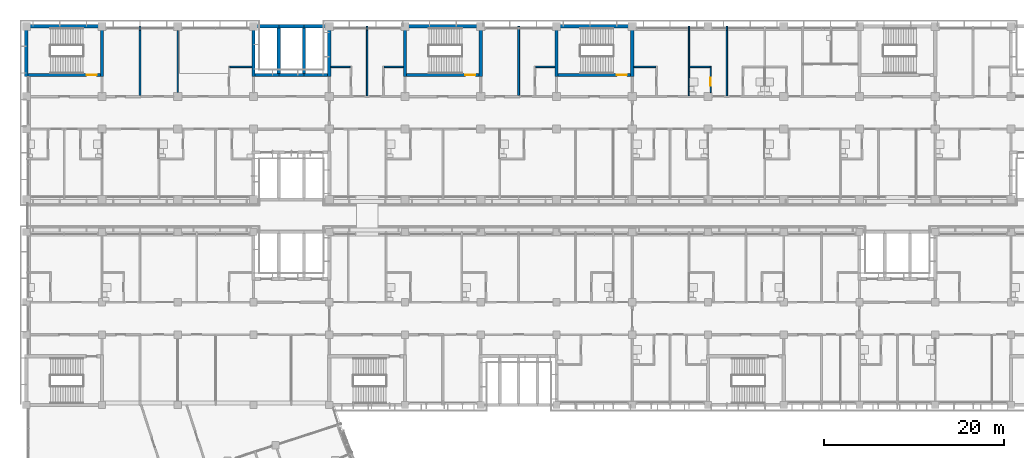
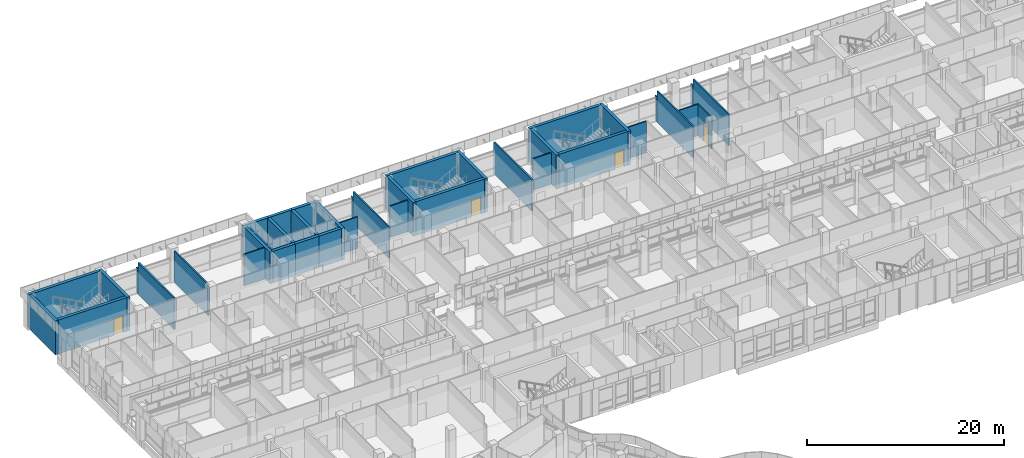
# One storey, part 87 of 137: 39 walls, 4 doors, 4 openings.
"""IFC4 building model written with IfcOpenShell, lengths in metres."""

from ifc_helpers import new_model, si_unit, direction, frame, frame_2d, origin, place, context, subcontext, project, spatial, rectangle, extrude, material, layer, layer_set, type_object, element, fill, save


model = new_model("IFC4")

# Units and contexts
model_context = context("Model", 3, precision=1e-05, world=origin(), true_north=direction((0.0, 1.0)))
body_context = subcontext(model_context, "Body", "Model", "MODEL_VIEW")
ifc_project = project(units=[si_unit("LENGTHUNIT", "METRE"), si_unit("AREAUNIT", "SQUARE_METRE"), si_unit("VOLUMEUNIT", "CUBIC_METRE"), si_unit("PLANEANGLEUNIT", "RADIAN"), si_unit("MASSUNIT", "GRAM", prefix="KILO")], contexts=[model_context])

# Site, building, storey
site_placement = place(None, origin())
site = spatial("IfcSite", under=ifc_project, at=site_placement, CompositionType="ELEMENT")
building_placement = place(site_placement, origin())
building = spatial("IfcBuilding", under=site, at=building_placement, Name="Bougainvillea Quay General Hospital", CompositionType="ELEMENT")
storey_placement = place(building_placement, frame((0.0, 0.0, 16.800048828125)))
storey = spatial("IfcBuildingStorey", under=building, at=storey_placement, Name="L03", CompositionType="ELEMENT", Elevation=16.800048828125)

# Walls
ifc_material_1 = material(Name="Gypsum board partition on steel studs, insulated", Category="steel")
ifc_layer_1 = layer(ifc_material_1, 0.14990234375)
ifc_layer_set_1 = layer_set([ifc_layer_1], Name="Gypsum board partition on steel studs, insulated")
wall_type_1 = type_object("IfcWallType", Name="Partition 150 Gypsum board partition", PredefinedType="PARTITIONING", material=ifc_layer_set_1)
wall_1_placement = place(storey_placement, frame((58.800048828125, 152.25, 0.0), z_axis=(0.0, 0.0, 1.0), x_axis=(0.0, 1.0, 0.0)))
element("IfcWall", 1, at=wall_1_placement, inside=storey, type_object=wall_type_1, Name="Partition 150 mm", PredefinedType="PARTITIONING", context=body_context, shape_type="SweptSolid", body=[
    extrude(rectangle(XDim=6.89990234375, YDim=0.14990234375, at=frame_2d((3.449951171875, 0.0))), origin(), (0.0, 0.0, 1.0), 3.89990234375),
])
wall_2_placement = place(storey_placement, frame((79.800048828125, 151.875, 0.0), z_axis=(0.0, 0.0, 1.0), x_axis=(0.0, 1.0, 0.0)))
element("IfcWall", 2, at=wall_2_placement, inside=storey, type_object=wall_type_1, Name="Partition 150 mm", PredefinedType="PARTITIONING", context=body_context, shape_type="SweptSolid", body=[
    extrude(rectangle(XDim=7.27490234375, YDim=0.14990234375, at=frame_2d((3.637451171875, 0.0))), origin(), (0.0, 0.0, 1.0), 3.89990234375),
])
wall_3_placement = place(storey_placement, frame((79.800048828125, 159.14990234375, 0.0), z_axis=(0.0, 0.0, 1.0), x_axis=(0.0, 1.0, 0.0)))
element("IfcWall", 3, at=wall_3_placement, inside=storey, type_object=wall_type_1, Name="Partition 150 mm", PredefinedType="PARTITIONING", context=body_context, shape_type="SweptSolid", body=[
    extrude(rectangle(XDim=0.4501953125, YDim=0.14990234375, at=frame_2d((0.22509765625, 0.0))), origin(), (0.0, 0.0, 1.0), 3.079833984375),
])
wall_4_placement = place(storey_placement, frame((115.5, 151.875, 0.0), z_axis=(0.0, 0.0, 1.0), x_axis=(0.0, 1.0, 0.0)))
element("IfcWall", 4, at=wall_4_placement, inside=storey, type_object=wall_type_1, Name="Partition 150 mm", PredefinedType="PARTITIONING", context=body_context, shape_type="SweptSolid", body=[
    extrude(rectangle(XDim=7.27490234375, YDim=0.14990234375, at=frame_2d((3.637451171875, 0.0))), origin(), (0.0, 0.0, 1.0), 3.89990234375),
])
wall_5_placement = place(storey_placement, frame((115.5, 159.14990234375, 0.0), z_axis=(0.0, 0.0, 1.0), x_axis=(0.0, 1.0, 0.0)))
element("IfcWall", 5, at=wall_5_placement, inside=storey, type_object=wall_type_1, Name="Partition 150 mm", PredefinedType="PARTITIONING", context=body_context, shape_type="SweptSolid", body=[
    extrude(rectangle(XDim=0.4501953125, YDim=0.14990234375, at=frame_2d((0.22509765625, 0.0))), origin(), (0.0, 0.0, 1.0), 3.079833984375),
])
wall_6_placement = place(storey_placement, frame((119.699951171875, 151.875, 0.0), z_axis=(0.0, 0.0, 1.0), x_axis=(0.0, 1.0, 0.0)))
element("IfcWall", 6, at=wall_6_placement, inside=storey, type_object=wall_type_1, Name="Partition 150 mm", PredefinedType="PARTITIONING", context=body_context, shape_type="SweptSolid", body=[
    extrude(rectangle(XDim=7.27490234375, YDim=0.14990234375, at=frame_2d((3.637451171875, 0.0))), origin(), (0.0, 0.0, 1.0), 3.89990234375),
])
wall_7_placement = place(storey_placement, frame((119.699951171875, 159.14990234375, 0.0), z_axis=(0.0, 0.0, 1.0), x_axis=(0.0, 1.0, 0.0)))
element("IfcWall", 7, at=wall_7_placement, inside=storey, type_object=wall_type_1, Name="Partition 150 mm", PredefinedType="PARTITIONING", context=body_context, shape_type="SweptSolid", body=[
    extrude(rectangle(XDim=0.4501953125, YDim=0.14990234375, at=frame_2d((0.22509765625, 0.0))), origin(), (0.0, 0.0, 1.0), 3.079833984375),
])

# Wall, opening, door
wall_8_placement = place(storey_placement, frame((117.89990234375, 152.25, 0.0), z_axis=(0.0, 0.0, 1.0), x_axis=(0.0, 1.0, 0.0)))
wall_8 = element("IfcWall", 8, at=wall_8_placement, inside=storey, type_object=wall_type_1, Name="Partition 150 mm", PredefinedType="PARTITIONING", context=body_context, shape_type="SweptSolid", body=[
    extrude(rectangle(XDim=2.925048828125, YDim=0.14990234375, at=frame_2d((1.46240234375, 0.0))), origin(), (0.0, 0.0, 1.0), 3.89990234375),
])
opening_1_placement = place(wall_8_placement, frame((0.75, 0.0, 0.0)))
opening_1 = element("IfcOpeningElement", 9, at=opening_1_placement, cuts=wall_8, Name="Opening L03.044", PredefinedType="OPENING", context=body_context, shape_type="SweptSolid", body=[
    extrude(rectangle(XDim=0.89990234375, YDim=2.10009765625, at=frame_2d((0.449951171875, 1.050048828125))), frame((0.0, 0.0849609375, 0.0), z_axis=(0.0, -1.0, 0.0), x_axis=(1.0, 0.0, 0.0)), (0.0, 0.0, 1.0), 0.169921875),
])
ifc_material_2 = material(Name="Solid-core timber door leaf in steel frame", Category="steel")
door_type_1 = type_object("IfcDoorType", Name="Single leaf door 900x2100", OperationType="NOTDEFINED", PredefinedType="DOOR", material=ifc_material_2)
door_1_placement = place(opening_1_placement, origin())
door_1 = element("IfcDoor", 10, at=door_1_placement, inside=storey, type_object=door_type_1, Name="DT07 L03.044", OperationType="SINGLE_SWING_LEFT", OverallHeight=2.10009765625, OverallWidth=0.89990234375, PredefinedType="DOOR", context=body_context, shape_type="SweptSolid", body=[
    extrude(rectangle(XDim=0.89990234375, YDim=2.10009765625, at=frame_2d((0.449951171875, 1.050048828125))), frame((0.0, 0.02490234375, 0.0), z_axis=(0.0, -1.0, 0.0), x_axis=(1.0, 0.0, 0.0)), (0.0, 0.0, 1.0), 0.050048828125),
])
fill(opening_1, door_1)

# Walls
for number, where, z_axis, x_axis, name in (
    (11, (64.574951171875, 155.10009765625, 0.0), (0.0, 0.0, 1.0), (1.0, 0.0, 0.0), "Partition 150 mm"),
    (12, (109.375, 155.10009765625, 0.0), (0.0, 0.0, 1.0), (1.0, 0.0, 0.0), "Partition 150 mm"),
):
    element("IfcWall", number, at=place(storey_placement, frame(where, z_axis=z_axis, x_axis=x_axis)), inside=storey, type_object=wall_type_1, Name=name, PredefinedType="PARTITIONING", context=body_context, shape_type="SweptSolid", body=[
        extrude(rectangle(XDim=2.449951171875, YDim=0.14990234375, at=frame_2d((1.22509765625, 0.0))), origin(), (0.0, 0.0, 1.0), 3.89990234375),
    ])
wall_9_placement = place(storey_placement, frame((75.77490234375, 155.10009765625, 0.0), z_axis=(0.0, 0.0, 1.0), x_axis=(1.0, 0.0, 0.0)))
element("IfcWall", 13, at=wall_9_placement, inside=storey, type_object=wall_type_1, Name="Partition 150 mm", PredefinedType="PARTITIONING", context=body_context, shape_type="SweptSolid", body=[
    extrude(rectangle(XDim=2.150146484375, YDim=0.14990234375, at=frame_2d((1.0751953125, 0.0))), origin(), (0.0, 0.0, 1.0), 3.89990234375),
])
wall_10_placement = place(storey_placement, frame((81.675048828125, 155.10009765625, 0.0), z_axis=(0.0, 0.0, 1.0), x_axis=(1.0, 0.0, 0.0)))
element("IfcWall", 14, at=wall_10_placement, inside=storey, type_object=wall_type_1, Name="Partition 150 mm", PredefinedType="PARTITIONING", context=body_context, shape_type="SweptSolid", body=[
    extrude(rectangle(XDim=2.14990234375, YDim=0.14990234375, at=frame_2d((1.074951171875, 0.0))), origin(), (0.0, 0.0, 1.0), 3.89990234375),
])
wall_11_placement = place(storey_placement, frame((115.574951171875, 155.10009765625, 0.0), z_axis=(0.0, 0.0, 1.0), x_axis=(1.0, 0.0, 0.0)))
element("IfcWall", 15, at=wall_11_placement, inside=storey, type_object=wall_type_1, Name="Partition 150 mm", PredefinedType="PARTITIONING", context=body_context, shape_type="SweptSolid", body=[
    extrude(rectangle(XDim=2.25, YDim=0.14990234375, at=frame_2d((1.125, 0.0))), origin(), (0.0, 0.0, 1.0), 3.89990234375),
])
wall_12_placement = place(storey_placement, frame((98.47509765625, 155.10009765625, 0.0), z_axis=(0.0, 0.0, 1.0), x_axis=(1.0, 0.0, 0.0)))
element("IfcWall", 16, at=wall_12_placement, inside=storey, type_object=wall_type_1, Name="Partition 150 mm", PredefinedType="PARTITIONING", context=body_context, shape_type="SweptSolid", body=[
    extrude(rectangle(XDim=2.14990234375, YDim=0.14990234375, at=frame_2d((1.074951171875, 0.0))), origin(), (0.0, 0.0, 1.0), 3.89990234375),
])
ifc_material_3 = material(Name="Fire-rated autoclaved aerated block wall, plastered")
ifc_layer_2 = layer(ifc_material_3, 0.199951171875)
ifc_layer_set_2 = layer_set([ifc_layer_2], Name="Fire-rated autoclaved aerated block wall, plastered")
wall_type_2 = type_object("IfcWallType", Name="Partition 200 Fire-rated autoclaved aerated block wall EI 120", PredefinedType="SOLIDWALL", material=ifc_layer_set_2)
wall_13_placement = place(storey_placement, frame((54.60009765625, 151.89990234375, 0.0), z_axis=(0.0, 0.0, 1.0), x_axis=(0.0, 1.0, 0.0)))
element("IfcWall", 17, at=wall_13_placement, inside=storey, type_object=wall_type_2, Name="Partition 200 mm EI 120", PredefinedType="SOLIDWALL", context=body_context, shape_type="SweptSolid", body=[
    extrude(rectangle(XDim=7.25, YDim=0.199951171875, at=frame_2d((3.625, 0.0))), origin(), (0.0, 0.0, 1.0), 3.89990234375),
])
wall_14_placement = place(storey_placement, frame((54.60009765625, 159.14990234375, 0.0), z_axis=(0.0, 0.0, 1.0), x_axis=(0.0, 1.0, 0.0)))
element("IfcWall", 18, at=wall_14_placement, inside=storey, type_object=wall_type_2, Name="Partition 200 mm EI 120", PredefinedType="SOLIDWALL", context=body_context, shape_type="SweptSolid", body=[
    extrude(rectangle(XDim=0.4501953125, YDim=0.199951171875, at=frame_2d((0.22509765625, 0.0))), origin(), (0.0, 0.0, 1.0), 3.079833984375),
])
wall_15_placement = place(storey_placement, frame((96.60009765625, 151.89990234375, 0.0), z_axis=(0.0, 0.0, 1.0), x_axis=(0.0, 1.0, 0.0)))
element("IfcWall", 19, at=wall_15_placement, inside=storey, type_object=wall_type_2, Name="Partition 200 mm EI 120", PredefinedType="SOLIDWALL", context=body_context, shape_type="SweptSolid", body=[
    extrude(rectangle(XDim=7.7001953125, YDim=0.199951171875, at=frame_2d((3.85009765625, 0.0))), origin(), (0.0, 0.0, 1.0), 3.89990234375),
])
ifc_material_4 = material(Name="Concrete C40", Category="concrete")
ifc_layer_3 = layer(ifc_material_4, 0.35009765625)
ifc_layer_set_3 = layer_set([ifc_layer_3], Name="Concrete C40")
wall_type_3 = type_object("IfcWallType", Name="RC SHEAR WALL 350 C40", PredefinedType="SHEAR", material=ifc_layer_set_3)
wall_16_placement = place(storey_placement, frame((41.824951171875, 159.60009765625, 0.0), z_axis=(0.0, 0.0, 1.0), x_axis=(1.0, 0.0, 0.0)))
element("IfcWall", 20, at=wall_16_placement, inside=storey, type_object=wall_type_3, Name="Shear wall L03", PredefinedType="SHEAR", context=body_context, shape_type="SweptSolid", body=[
    extrude(rectangle(XDim=8.400146484375, YDim=0.35009765625, at=frame_2d((4.2001953125, 0.0))), origin(), (0.0, 0.0, 1.0), 4.199951171875),
])
wall_17_placement = place(storey_placement, frame((42.0, 154.02490234375, 0.0), z_axis=(0.0, 0.0, 1.0), x_axis=(0.0, 1.0, 0.0)))
element("IfcWall", 21, at=wall_17_placement, inside=storey, type_object=wall_type_3, Name="Shear wall L03", PredefinedType="SHEAR", context=body_context, shape_type="SweptSolid", body=[
    extrude(rectangle(XDim=5.400146484375, YDim=0.35009765625, at=frame_2d((2.7001953125, 0.0))), origin(), (0.0, 0.0, 1.0), 4.199951171875),
])

# Wall, opening, door
wall_18_placement = place(storey_placement, frame((42.175048828125, 154.199951171875, 0.0), z_axis=(0.0, 0.0, 1.0), x_axis=(1.0, 0.0, 0.0)))
wall_18 = element("IfcWall", 22, at=wall_18_placement, inside=storey, type_object=wall_type_3, Name="Shear wall L03", PredefinedType="SHEAR", context=body_context, shape_type="SweptSolid", body=[
    extrude(rectangle(XDim=8.050048828125, YDim=0.35009765625, at=frame_2d((4.02490234375, 0.0))), origin(), (0.0, 0.0, 1.0), 4.199951171875),
])
opening_2_placement = place(wall_18_placement, frame((6.52490234375, 0.0, 0.0)))
opening_2 = element("IfcOpeningElement", 23, at=opening_2_placement, cuts=wall_18, Name="Opening L03.197", PredefinedType="OPENING", context=body_context, shape_type="SweptSolid", body=[
    extrude(rectangle(XDim=1.10009765625, YDim=2.10009765625, at=frame_2d((0.550048828125, 1.050048828125))), frame((0.0, 0.18505859375, 0.0), z_axis=(0.0, -1.0, 0.0), x_axis=(1.0, 0.0, 0.0)), (0.0, 0.0, 1.0), 0.3701171875),
])
ifc_material_5 = material(Name="Steel fire door leaf in steel frame", Category="steel")
door_type_2 = type_object("IfcDoorType", Name="Steel single leaf door 1100x2100 FD60", OperationType="NOTDEFINED", PredefinedType="DOOR", material=ifc_material_5)
door_2_placement = place(opening_2_placement, origin())
door_2 = element("IfcDoor", 24, at=door_2_placement, inside=storey, type_object=door_type_2, Name="DT04 L03.197", OperationType="SINGLE_SWING_RIGHT", OverallHeight=2.10009765625, OverallWidth=1.10009765625, PredefinedType="DOOR", context=body_context, shape_type="SweptSolid", body=[
    extrude(rectangle(XDim=1.10009765625, YDim=2.10009765625, at=frame_2d((0.550048828125, 1.050048828125))), frame((0.0, 0.02490234375, 0.0), z_axis=(0.0, -1.0, 0.0), x_axis=(1.0, 0.0, 0.0)), (0.0, 0.0, 1.0), 0.050048828125),
])
fill(opening_2, door_2)

# Walls
wall_19_placement = place(storey_placement, frame((50.39990234375, 154.02490234375, 0.0), z_axis=(0.0, 0.0, 1.0), x_axis=(0.0, 1.0, 0.0)))
element("IfcWall", 25, at=wall_19_placement, inside=storey, type_object=wall_type_3, Name="Shear wall L03", PredefinedType="SHEAR", context=body_context, shape_type="SweptSolid", body=[
    extrude(rectangle(XDim=5.75, YDim=0.35009765625, at=frame_2d((2.875, 0.0))), origin(), (0.0, 0.0, 1.0), 4.199951171875),
])
wall_20_placement = place(storey_placement, frame((83.824951171875, 159.60009765625, 0.0), z_axis=(0.0, 0.0, 1.0), x_axis=(1.0, 0.0, 0.0)))
element("IfcWall", 26, at=wall_20_placement, inside=storey, type_object=wall_type_3, Name="Shear wall L03", PredefinedType="SHEAR", context=body_context, shape_type="SweptSolid", body=[
    extrude(rectangle(XDim=8.400146484375, YDim=0.35009765625, at=frame_2d((4.2001953125, 0.0))), origin(), (0.0, 0.0, 1.0), 4.199951171875),
])
wall_21_placement = place(storey_placement, frame((84.0, 154.02490234375, 0.0), z_axis=(0.0, 0.0, 1.0), x_axis=(0.0, 1.0, 0.0)))
element("IfcWall", 27, at=wall_21_placement, inside=storey, type_object=wall_type_3, Name="Shear wall L03", PredefinedType="SHEAR", context=body_context, shape_type="SweptSolid", body=[
    extrude(rectangle(XDim=5.400146484375, YDim=0.35009765625, at=frame_2d((2.7001953125, 0.0))), origin(), (0.0, 0.0, 1.0), 4.199951171875),
])

# Wall, opening, door
wall_22_placement = place(storey_placement, frame((84.175048828125, 154.199951171875, 0.0), z_axis=(0.0, 0.0, 1.0), x_axis=(1.0, 0.0, 0.0)))
wall_22 = element("IfcWall", 28, at=wall_22_placement, inside=storey, type_object=wall_type_3, Name="Shear wall L03", PredefinedType="SHEAR", context=body_context, shape_type="SweptSolid", body=[
    extrude(rectangle(XDim=8.050048828125, YDim=0.35009765625, at=frame_2d((4.02490234375, 0.0))), origin(), (0.0, 0.0, 1.0), 4.199951171875),
])
opening_3_placement = place(wall_22_placement, frame((6.52490234375, 0.0, 0.0)))
opening_3 = element("IfcOpeningElement", 29, at=opening_3_placement, cuts=wall_22, Name="Opening L03.199", PredefinedType="OPENING", context=body_context, shape_type="SweptSolid", body=[
    extrude(rectangle(XDim=1.10009765625, YDim=2.10009765625, at=frame_2d((0.550048828125, 1.050048828125))), frame((0.0, 0.18505859375, 0.0), z_axis=(0.0, -1.0, 0.0), x_axis=(1.0, 0.0, 0.0)), (0.0, 0.0, 1.0), 0.3701171875),
])
door_3_placement = place(opening_3_placement, origin())
door_3 = element("IfcDoor", 30, at=door_3_placement, inside=storey, type_object=door_type_2, Name="DT04 L03.199", OperationType="SINGLE_SWING_RIGHT", OverallHeight=2.10009765625, OverallWidth=1.10009765625, PredefinedType="DOOR", context=body_context, shape_type="SweptSolid", body=[
    extrude(rectangle(XDim=1.10009765625, YDim=2.10009765625, at=frame_2d((0.550048828125, 1.050048828125))), frame((0.0, 0.02490234375, 0.0), z_axis=(0.0, -1.0, 0.0), x_axis=(1.0, 0.0, 0.0)), (0.0, 0.0, 1.0), 0.050048828125),
])
fill(opening_3, door_3)

# Walls
wall_23_placement = place(storey_placement, frame((92.39990234375, 154.02490234375, 0.0), z_axis=(0.0, 0.0, 1.0), x_axis=(0.0, 1.0, 0.0)))
element("IfcWall", 31, at=wall_23_placement, inside=storey, type_object=wall_type_3, Name="Shear wall L03", PredefinedType="SHEAR", context=body_context, shape_type="SweptSolid", body=[
    extrude(rectangle(XDim=5.75, YDim=0.35009765625, at=frame_2d((2.875, 0.0))), origin(), (0.0, 0.0, 1.0), 4.199951171875),
])
wall_24_placement = place(storey_placement, frame((100.625, 159.60009765625, 0.0), z_axis=(0.0, 0.0, 1.0), x_axis=(1.0, 0.0, 0.0)))
element("IfcWall", 32, at=wall_24_placement, inside=storey, type_object=wall_type_3, Name="Shear wall L03", PredefinedType="SHEAR", context=body_context, shape_type="SweptSolid", body=[
    extrude(rectangle(XDim=8.39990234375, YDim=0.35009765625, at=frame_2d((4.199951171875, 0.0))), origin(), (0.0, 0.0, 1.0), 4.199951171875),
])
wall_25_placement = place(storey_placement, frame((100.800048828125, 154.02490234375, 0.0), z_axis=(0.0, 0.0, 1.0), x_axis=(0.0, 1.0, 0.0)))
element("IfcWall", 33, at=wall_25_placement, inside=storey, type_object=wall_type_3, Name="Shear wall L03", PredefinedType="SHEAR", context=body_context, shape_type="SweptSolid", body=[
    extrude(rectangle(XDim=5.400146484375, YDim=0.35009765625, at=frame_2d((2.7001953125, 0.0))), origin(), (0.0, 0.0, 1.0), 4.199951171875),
])

# Wall, opening, door
wall_26_placement = place(storey_placement, frame((100.97509765625, 154.199951171875, 0.0), z_axis=(0.0, 0.0, 1.0), x_axis=(1.0, 0.0, 0.0)))
wall_26 = element("IfcWall", 34, at=wall_26_placement, inside=storey, type_object=wall_type_3, Name="Shear wall L03", PredefinedType="SHEAR", context=body_context, shape_type="SweptSolid", body=[
    extrude(rectangle(XDim=8.0498046875, YDim=0.35009765625, at=frame_2d((4.02490234375, 0.0))), origin(), (0.0, 0.0, 1.0), 4.199951171875),
])
opening_4_placement = place(wall_26_placement, frame((6.52490234375, 0.0, 0.0)))
opening_4 = element("IfcOpeningElement", 35, at=opening_4_placement, cuts=wall_26, Name="Opening L03.213", PredefinedType="OPENING", context=body_context, shape_type="SweptSolid", body=[
    extrude(rectangle(XDim=1.10009765625, YDim=2.10009765625, at=frame_2d((0.550048828125, 1.050048828125))), frame((0.0, 0.18505859375, 0.0), z_axis=(0.0, -1.0, 0.0), x_axis=(1.0, 0.0, 0.0)), (0.0, 0.0, 1.0), 0.3701171875),
])
door_4_placement = place(opening_4_placement, origin())
door_4 = element("IfcDoor", 36, at=door_4_placement, inside=storey, type_object=door_type_2, Name="DT04 L03.213", OperationType="SINGLE_SWING_RIGHT", OverallHeight=2.10009765625, OverallWidth=1.10009765625, PredefinedType="DOOR", context=body_context, shape_type="SweptSolid", body=[
    extrude(rectangle(XDim=1.10009765625, YDim=2.10009765625, at=frame_2d((0.550048828125, 1.050048828125))), frame((0.0, 0.02490234375, 0.0), z_axis=(0.0, -1.0, 0.0), x_axis=(1.0, 0.0, 0.0)), (0.0, 0.0, 1.0), 0.050048828125),
])
fill(opening_4, door_4)

# Walls
wall_27_placement = place(storey_placement, frame((109.199951171875, 154.02490234375, 0.0), z_axis=(0.0, 0.0, 1.0), x_axis=(0.0, 1.0, 0.0)))
element("IfcWall", 37, at=wall_27_placement, inside=storey, type_object=wall_type_3, Name="Shear wall L03", PredefinedType="SHEAR", context=body_context, shape_type="SweptSolid", body=[
    extrude(rectangle(XDim=5.75, YDim=0.35009765625, at=frame_2d((2.875, 0.0))), origin(), (0.0, 0.0, 1.0), 4.199951171875),
])
wall_28_placement = place(storey_placement, frame((67.02490234375, 159.60009765625, 0.0), z_axis=(0.0, 0.0, 1.0), x_axis=(1.0, 0.0, 0.0)))
element("IfcWall", 38, at=wall_28_placement, inside=storey, type_object=wall_type_3, Name="Shear wall L03", PredefinedType="SHEAR", context=body_context, shape_type="SweptSolid", body=[
    extrude(rectangle(XDim=2.97509765625, YDim=0.35009765625, at=frame_2d((1.487548828125, 0.0))), origin(), (0.0, 0.0, 1.0), 3.89990234375),
])
wall_29_placement = place(storey_placement, frame((67.199951171875, 154.02490234375, 0.0), z_axis=(0.0, 0.0, 1.0), x_axis=(0.0, 1.0, 0.0)))
element("IfcWall", 39, at=wall_29_placement, inside=storey, type_object=wall_type_3, Name="Shear wall L03", PredefinedType="SHEAR", context=body_context, shape_type="SweptSolid", body=[
    extrude(rectangle(XDim=5.400146484375, YDim=0.35009765625, at=frame_2d((2.7001953125, 0.0))), origin(), (0.0, 0.0, 1.0), 3.89990234375),
])
wall_30_placement = place(storey_placement, frame((67.375, 154.199951171875, 0.0), z_axis=(0.0, 0.0, 1.0), x_axis=(1.0, 0.0, 0.0)))
element("IfcWall", 40, at=wall_30_placement, inside=storey, type_object=wall_type_3, Name="Shear wall L03", PredefinedType="SHEAR", context=body_context, shape_type="SweptSolid", body=[
    extrude(rectangle(XDim=2.625, YDim=0.35009765625, at=frame_2d((1.3125, 0.0))), origin(), (0.0, 0.0, 1.0), 3.89990234375),
])
wall_31_placement = place(storey_placement, frame((70.0, 154.199951171875, 0.0), z_axis=(0.0, 0.0, 1.0), x_axis=(1.0, 0.0, 0.0)))
element("IfcWall", 41, at=wall_31_placement, inside=storey, type_object=wall_type_3, Name="Shear wall L03", PredefinedType="SHEAR", context=body_context, shape_type="SweptSolid", body=[
    extrude(rectangle(XDim=2.800048828125, YDim=0.35009765625, at=frame_2d((1.39990234375, 0.0))), origin(), (0.0, 0.0, 1.0), 3.89990234375),
])
wall_32_placement = place(storey_placement, frame((70.0, 154.375, 0.0), z_axis=(0.0, 0.0, 1.0), x_axis=(0.0, 1.0, 0.0)))
element("IfcWall", 42, at=wall_32_placement, inside=storey, type_object=wall_type_3, Name="Shear wall L03", PredefinedType="SHEAR", context=body_context, shape_type="SweptSolid", body=[
    extrude(rectangle(XDim=5.050048828125, YDim=0.35009765625, at=frame_2d((2.52490234375, 0.0))), origin(), (0.0, 0.0, 1.0), 3.89990234375),
])
wall_33_placement = place(storey_placement, frame((70.0, 159.60009765625, 0.0), z_axis=(0.0, 0.0, 1.0), x_axis=(1.0, 0.0, 0.0)))
element("IfcWall", 43, at=wall_33_placement, inside=storey, type_object=wall_type_3, Name="Shear wall L03", PredefinedType="SHEAR", context=body_context, shape_type="SweptSolid", body=[
    extrude(rectangle(XDim=2.800048828125, YDim=0.35009765625, at=frame_2d((1.39990234375, 0.0))), origin(), (0.0, 0.0, 1.0), 3.89990234375),
])
wall_34_placement = place(storey_placement, frame((72.800048828125, 154.199951171875, 0.0), z_axis=(0.0, 0.0, 1.0), x_axis=(1.0, 0.0, 0.0)))
element("IfcWall", 44, at=wall_34_placement, inside=storey, type_object=wall_type_3, Name="Shear wall L03", PredefinedType="SHEAR", context=body_context, shape_type="SweptSolid", body=[
    extrude(rectangle(XDim=2.625, YDim=0.35009765625, at=frame_2d((1.3125, 0.0))), origin(), (0.0, 0.0, 1.0), 3.89990234375),
])
wall_35_placement = place(storey_placement, frame((72.800048828125, 154.375, 0.0), z_axis=(0.0, 0.0, 1.0), x_axis=(0.0, 1.0, 0.0)))
element("IfcWall", 45, at=wall_35_placement, inside=storey, type_object=wall_type_3, Name="Shear wall L03", PredefinedType="SHEAR", context=body_context, shape_type="SweptSolid", body=[
    extrude(rectangle(XDim=5.050048828125, YDim=0.35009765625, at=frame_2d((2.52490234375, 0.0))), origin(), (0.0, 0.0, 1.0), 3.89990234375),
])
wall_36_placement = place(storey_placement, frame((72.800048828125, 159.60009765625, 0.0), z_axis=(0.0, 0.0, 1.0), x_axis=(1.0, 0.0, 0.0)))
element("IfcWall", 46, at=wall_36_placement, inside=storey, type_object=wall_type_3, Name="Shear wall L03", PredefinedType="SHEAR", context=body_context, shape_type="SweptSolid", body=[
    extrude(rectangle(XDim=2.625, YDim=0.35009765625, at=frame_2d((1.3125, 0.0))), origin(), (0.0, 0.0, 1.0), 3.89990234375),
])
wall_37_placement = place(storey_placement, frame((75.60009765625, 154.02490234375, 0.0), z_axis=(0.0, 0.0, 1.0), x_axis=(0.0, 1.0, 0.0)))
element("IfcWall", 47, at=wall_37_placement, inside=storey, type_object=wall_type_3, Name="Shear wall L03", PredefinedType="SHEAR", context=body_context, shape_type="SweptSolid", body=[
    extrude(rectangle(XDim=5.75, YDim=0.35009765625, at=frame_2d((2.875, 0.0))), origin(), (0.0, 0.0, 1.0), 3.89990234375),
])

save(model, "model.ifc")
